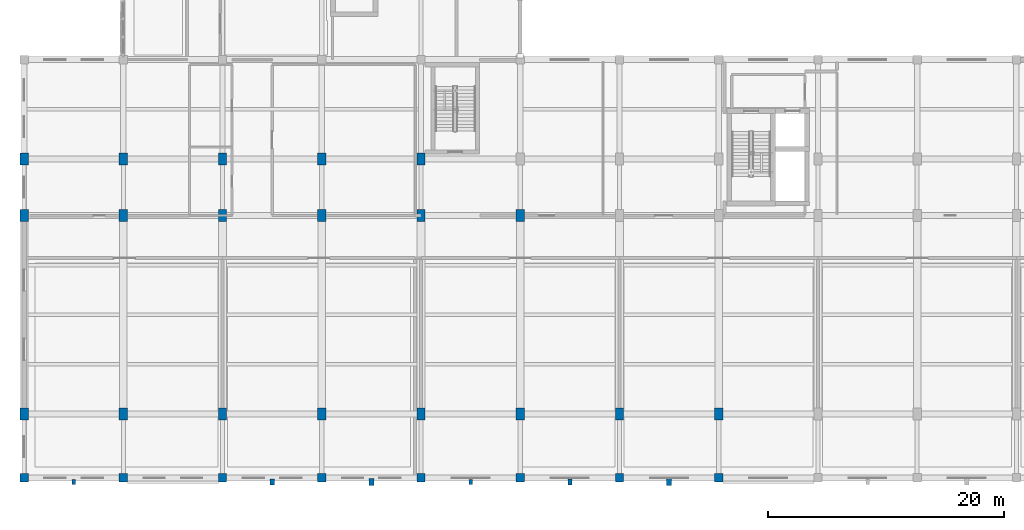
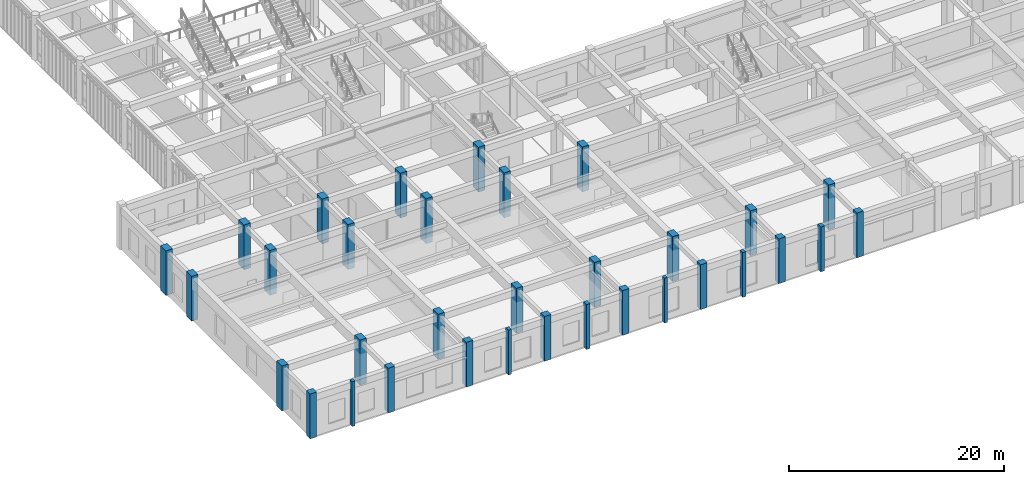
# One storey, part 1 of 106: 33 columns.
"""IFC4 building model written with IfcOpenShell, lengths in metres."""

from ifc_helpers import new_model, si_unit, direction, frame, origin, origin_2d, place, context, subcontext, project, spatial, rectangle, extrude, material, material_profile, profile_set, type_object, element, save


model = new_model("IFC4")

# Units and contexts
model_context = context("Model", 3, precision=1e-05, world=origin(), true_north=direction((0.0, 1.0)))
body_context = subcontext(model_context, "Body", "Model", "MODEL_VIEW")
ifc_project = project(units=[si_unit("LENGTHUNIT", "METRE"), si_unit("AREAUNIT", "SQUARE_METRE"), si_unit("VOLUMEUNIT", "CUBIC_METRE"), si_unit("PLANEANGLEUNIT", "RADIAN"), si_unit("MASSUNIT", "GRAM", prefix="KILO")], contexts=[model_context])

# Site, building, storey
site_placement = place(None, origin())
site = spatial("IfcSite", under=ifc_project, at=site_placement, CompositionType="ELEMENT")
building_placement = place(site_placement, origin())
building = spatial("IfcBuilding", under=site, at=building_placement, Name="Krzemoval Escarpment Law Courts", CompositionType="ELEMENT")
storey_placement = place(building_placement, frame((0.0, 0.0, 5.10009765625)))
storey = spatial("IfcBuildingStorey", under=building, at=storey_placement, Name="L01", CompositionType="ELEMENT", Elevation=5.10009765625)

# Columns
ifc_material_1 = material(Name="Concrete C40/50", Category="concrete")
ifc_material_profile_1 = material_profile(ifc_material_1, rectangle(XDim=0.699951171875, YDim=0.699951171875, at=origin_2d()), Name="RC 700x700")
ifc_profile_set_1 = profile_set([ifc_material_profile_1], Name="Concrete C40/50")
column_type_1 = type_object("IfcColumnType", Name="COL-RC-700", PredefinedType="COLUMN", material=ifc_profile_set_1)
for number, where, z_axis, x_axis, name in (
    (1, (0.0, 0.0, 0.0), (0.0, 0.0, 1.0), (1.0, 0.0, 0.0), "Column FC-L01-0543"),
    (2, (8.39990234375, 0.0, 0.0), (0.0, 0.0, 1.0), (1.0, 0.0, 0.0), "Column FC-L01-0552"),
    (3, (16.800048828125, 0.0, 0.0), (0.0, 0.0, 1.0), (1.0, 0.0, 0.0), "Column FC-L01-0569"),
    (4, (25.199951171875, 0.0, 0.0), (0.0, 0.0, 1.0), (1.0, 0.0, 0.0), "Column FC-L01-0586"),
    (5, (33.60009765625, 0.0, 0.0), (0.0, 0.0, 1.0), (1.0, 0.0, 0.0), "Column FC-L01-0598"),
    (6, (42.0, 0.0, 0.0), (0.0, 0.0, 1.0), (1.0, 0.0, 0.0), "Column FC-L01-0615"),
    (7, (50.39990234375, 0.0, 0.0), (0.0, 0.0, 1.0), (1.0, 0.0, 0.0), "Column FC-L01-0632"),
    (8, (58.800048828125, 0.0, 0.0), (0.0, 0.0, 1.0), (1.0, 0.0, 0.0), "Column FC-L01-0640"),
):
    element("IfcColumn", number, at=place(storey_placement, frame(where, z_axis=z_axis, x_axis=x_axis)), inside=storey, type_object=column_type_1, Name=name, PredefinedType="COLUMN", context=body_context, shape_type="SweptSolid", body=[
        extrude(rectangle(XDim=0.699951171875, YDim=0.699951171875, at=origin_2d()), origin(), (0.0, 0.0, 1.0), 5.099853515625),
    ])
ifc_material_2 = material(Name="Concrete C50/60", Category="concrete")
ifc_material_profile_2 = material_profile(ifc_material_2, rectangle(XDim=0.699951171875, YDim=1.0, at=origin_2d()), Name="RC 700x1000")
ifc_profile_set_2 = profile_set([ifc_material_profile_2], Name="Concrete C50/60")
column_type_2 = type_object("IfcColumnType", Name="COL-RC-700x1000", PredefinedType="COLUMN", material=ifc_profile_set_2)
for number, where, z_axis, x_axis, name in (
    (9, (0.0, 5.39990234375, 0.0), (0.0, 0.0, 1.0), (1.0, 0.0, 0.0), "Column FC-L01-0544"),
    (10, (0.0, 22.199951171875, 0.0), (0.0, 0.0, 1.0), (1.0, 0.0, 0.0), "Column FC-L01-0545"),
    (11, (0.0, 27.0, 0.0), (0.0, 0.0, 1.0), (1.0, 0.0, 0.0), "Column FC-L01-0546"),
    (12, (8.39990234375, 5.39990234375, 0.0), (0.0, 0.0, 1.0), (1.0, 0.0, 0.0), "Column FC-L01-0553"),
    (13, (8.39990234375, 22.199951171875, 0.0), (0.0, 0.0, 1.0), (1.0, 0.0, 0.0), "Column FC-L01-0554"),
    (14, (8.39990234375, 27.0, 0.0), (0.0, 0.0, 1.0), (1.0, 0.0, 0.0), "Column FC-L01-0555"),
    (15, (16.800048828125, 5.39990234375, 0.0), (0.0, 0.0, 1.0), (1.0, 0.0, 0.0), "Column FC-L01-0570"),
    (16, (16.800048828125, 22.199951171875, 0.0), (0.0, 0.0, 1.0), (1.0, 0.0, 0.0), "Column FC-L01-0571"),
    (17, (16.800048828125, 27.0, 0.0), (0.0, 0.0, 1.0), (1.0, 0.0, 0.0), "Column FC-L01-0572"),
    (18, (25.199951171875, 5.39990234375, 0.0), (0.0, 0.0, 1.0), (1.0, 0.0, 0.0), "Column FC-L01-0587"),
    (19, (25.199951171875, 22.199951171875, 0.0), (0.0, 0.0, 1.0), (1.0, 0.0, 0.0), "Column FC-L01-0588"),
    (20, (25.199951171875, 27.0, 0.0), (0.0, 0.0, 1.0), (1.0, 0.0, 0.0), "Column FC-L01-0589"),
    (21, (33.60009765625, 5.39990234375, 0.0), (0.0, 0.0, 1.0), (1.0, 0.0, 0.0), "Column FC-L01-0599"),
    (22, (33.60009765625, 22.199951171875, 0.0), (0.0, 0.0, 1.0), (1.0, 0.0, 0.0), "Column FC-L01-0600"),
    (23, (33.60009765625, 27.0, 0.0), (0.0, 0.0, 1.0), (1.0, 0.0, 0.0), "Column FC-L01-0601"),
    (24, (42.0, 5.39990234375, 0.0), (0.0, 0.0, 1.0), (1.0, 0.0, 0.0), "Column FC-L01-0616"),
    (25, (42.0, 22.199951171875, 0.0), (0.0, 0.0, 1.0), (1.0, 0.0, 0.0), "Column FC-L01-0617"),
    (26, (50.39990234375, 5.39990234375, 0.0), (0.0, 0.0, 1.0), (1.0, 0.0, 0.0), "Column FC-L01-0633"),
    (27, (58.800048828125, 5.39990234375, 0.0), (0.0, 0.0, 1.0), (1.0, 0.0, 0.0), "Column FC-L01-0641"),
):
    element("IfcColumn", number, at=place(storey_placement, frame(where, z_axis=z_axis, x_axis=x_axis)), inside=storey, type_object=column_type_2, Name=name, PredefinedType="COLUMN", context=body_context, shape_type="SweptSolid", body=[
        extrude(rectangle(XDim=0.699951171875, YDim=1.0, at=origin_2d()), origin(), (0.0, 0.0, 1.0), 5.099853515625),
    ])
ifc_material_3 = material(Name="Precast concrete C40/50", Category="concrete")
ifc_material_profile_3 = material_profile(ifc_material_3, rectangle(XDim=0.300048828125, YDim=0.449951171875, at=origin_2d()), Name="PIL 300x450")
ifc_profile_set_3 = profile_set([ifc_material_profile_3], Name="Precast concrete C40/50")
column_type_3 = type_object("IfcColumnType", Name="PIL-PC-300x450", PredefinedType="PILASTER", material=ifc_profile_set_3)
for number, where, z_axis, x_axis, name in (
    (28, (4.199951171875, -0.35009765625, 0.0), (0.0, 0.0, 1.0), (1.0, 0.0, 0.0), "Facade Pilaster PIL-L01-003"),
    (29, (37.800048828125, -0.35009765625, 0.0), (0.0, 0.0, 1.0), (1.0, 0.0, 0.0), "Facade Pilaster PIL-L01-018"),
):
    element("IfcColumn", number, at=place(storey_placement, frame(where, z_axis=z_axis, x_axis=x_axis)), inside=storey, type_object=column_type_3, Name=name, PredefinedType="PILASTER", context=body_context, shape_type="SweptSolid", body=[
        extrude(rectangle(XDim=0.300048828125, YDim=0.449951171875, at=origin_2d()), origin(), (0.0, 0.0, 1.0), 5.099853515625),
    ])
ifc_material_4 = material(Name="Precast concrete C40/50", Category="concrete")
ifc_material_profile_4 = material_profile(ifc_material_4, rectangle(XDim=0.35009765625, YDim=0.5, at=origin_2d()), Name="PIL 350x500")
ifc_profile_set_4 = profile_set([ifc_material_profile_4], Name="Precast concrete C40/50")
column_type_4 = type_object("IfcColumnType", Name="PIL-PC-350x500", PredefinedType="PILASTER", material=ifc_profile_set_4)
for number, where, z_axis, x_axis, name in (
    (30, (21.0, -0.35009765625, 0.0), (0.0, 0.0, 1.0), (1.0, 0.0, 0.0), "Facade Pilaster PIL-L01-008"),
    (31, (46.199951171875, -0.35009765625, 0.0), (0.0, 0.0, 1.0), (1.0, 0.0, 0.0), "Facade Pilaster PIL-L01-023"),
):
    element("IfcColumn", number, at=place(storey_placement, frame(where, z_axis=z_axis, x_axis=x_axis)), inside=storey, type_object=column_type_4, Name=name, PredefinedType="PILASTER", context=body_context, shape_type="SweptSolid", body=[
        extrude(rectangle(XDim=0.35009765625, YDim=0.5, at=origin_2d()), origin(), (0.0, 0.0, 1.0), 5.099853515625),
    ])
ifc_material_5 = material(Name="Precast concrete C40/50", Category="concrete")
ifc_material_profile_5 = material_profile(ifc_material_5, rectangle(XDim=0.39990234375, YDim=0.60009765625, at=origin_2d()), Name="PIL 400x600")
ifc_profile_set_5 = profile_set([ifc_material_profile_5], Name="Precast concrete C40/50")
column_type_5 = type_object("IfcColumnType", Name="PIL-PC-400x600", PredefinedType="PILASTER", material=ifc_profile_set_5)
for number, where, z_axis, x_axis, name in (
    (32, (29.39990234375, -0.35009765625, 0.0), (0.0, 0.0, 1.0), (1.0, 0.0, 0.0), "Facade Pilaster PIL-L01-013"),
    (33, (54.60009765625, -0.35009765625, 0.0), (0.0, 0.0, 1.0), (1.0, 0.0, 0.0), "Facade Pilaster PIL-L01-028"),
):
    element("IfcColumn", number, at=place(storey_placement, frame(where, z_axis=z_axis, x_axis=x_axis)), inside=storey, type_object=column_type_5, Name=name, PredefinedType="PILASTER", context=body_context, shape_type="SweptSolid", body=[
        extrude(rectangle(XDim=0.39990234375, YDim=0.60009765625, at=origin_2d()), origin(), (0.0, 0.0, 1.0), 5.099853515625),
    ])

save(model, "model.ifc")
